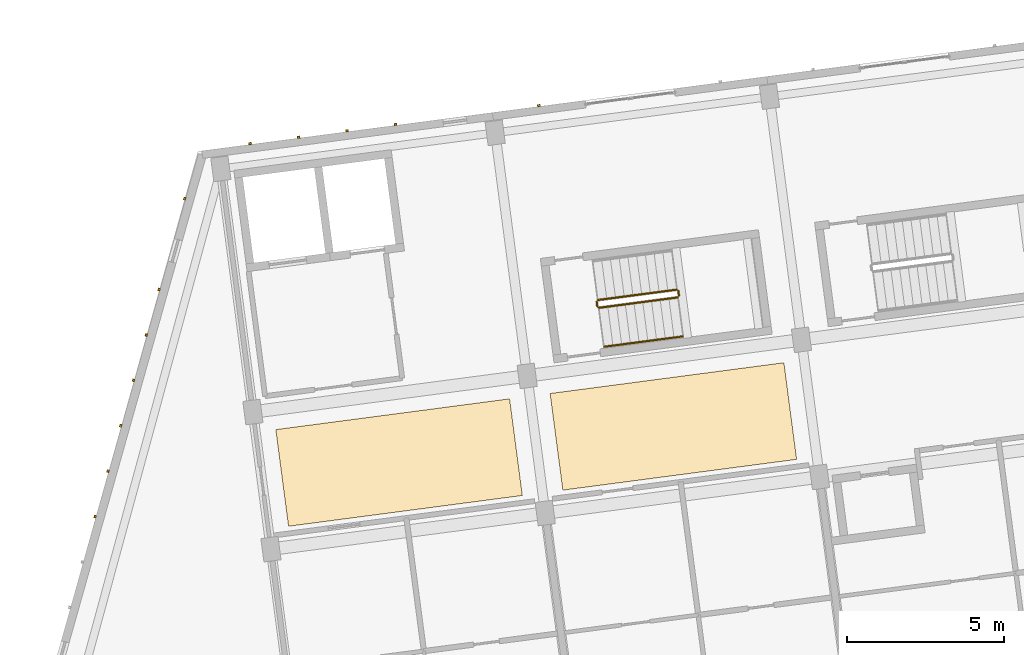
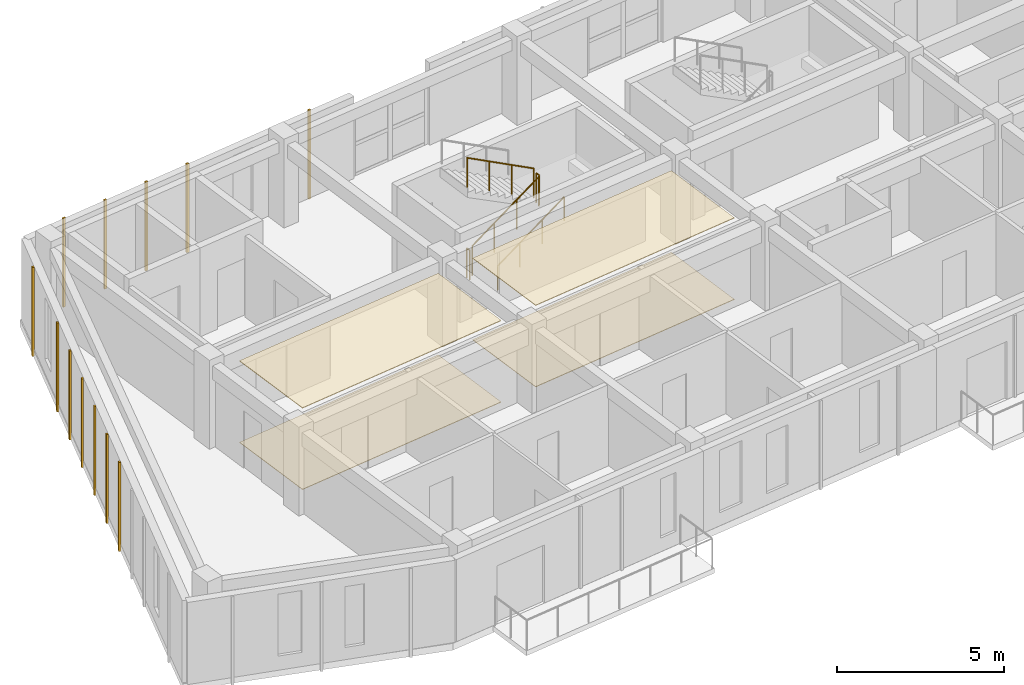
# One storey, part 106 of 127: 16 coverings, 5 railings.
"""IFC4 building model written with IfcOpenShell, lengths in metres."""

from ifc_helpers import new_model, si_unit, direction, frame, origin, origin_2d, place, context, subcontext, project, spatial, polyline, rectangle, circle, outline, extrude, material, layer, layer_set, type_object, element, save


model = new_model("IFC4")

# Units and contexts
model_context = context("Model", 3, precision=1e-05, world=origin(), true_north=direction((0.0, 1.0)))
body_context = subcontext(model_context, "Body", "Model", "MODEL_VIEW")
ifc_project = project(units=[si_unit("LENGTHUNIT", "METRE"), si_unit("AREAUNIT", "SQUARE_METRE"), si_unit("VOLUMEUNIT", "CUBIC_METRE"), si_unit("PLANEANGLEUNIT", "RADIAN"), si_unit("MASSUNIT", "GRAM", prefix="KILO")], contexts=[model_context])

# Site, building, storey
site_placement = place(None, origin())
site = spatial("IfcSite", under=ifc_project, at=site_placement, CompositionType="ELEMENT")
building_placement = place(site_placement, origin())
building = spatial("IfcBuilding", under=site, at=building_placement, Name="Kestramere Prow Commons", CompositionType="ELEMENT")
storey_placement = place(building_placement, frame((0.0, 0.0, 8.39990234375)))
storey = spatial("IfcBuildingStorey", under=building, at=storey_placement, Name="L02", CompositionType="ELEMENT", Elevation=8.39990234375)

# Coverings
ifc_material_1 = material(Name="Mineral Fibre Acoustic Ceiling Tile")
ifc_layer_1 = layer(ifc_material_1, 0.02490234375)
ifc_layer_set_1 = layer_set([ifc_layer_1], Name="Mineral Fibre Acoustic Ceiling Tile")
covering_type_1 = type_object("IfcCoveringType", Name="COV-CEIL-ACOUSTIC", PredefinedType="CEILING", material=ifc_layer_set_1)
covering_1_placement = place(storey_placement, frame((0.0, 0.0, 2.97509765625)))
element("IfcCovering", 1, at=covering_1_placement, inside=storey, type_object=covering_type_1, Name="Block A L02 Corridor Acoustic Ceiling 1", PredefinedType="CEILING", context=body_context, shape_type="SweptSolid", body=[
    extrude(outline(polyline([(10.741455078125, 80.462646484375), (18.17724609375, 81.44140625), (17.772705078125, 84.514892578125), (10.3369140625, 83.5361328125), (10.741455078125, 80.462646484375)])), origin(), (0.0, 0.0, 1.0), 0.02490234375),
])
covering_2_placement = place(storey_placement, frame((0.0, 0.0, 2.97509765625)))
element("IfcCovering", 2, at=covering_2_placement, inside=storey, type_object=covering_type_1, Name="Block A L02 Corridor Acoustic Ceiling 2", PredefinedType="CEILING", context=body_context, shape_type="SweptSolid", body=[
    extrude(outline(polyline([(19.46630859375, 81.611083984375), (26.902099609375, 82.590087890625), (26.497314453125, 85.66357421875), (19.0615234375, 84.6845703125), (19.46630859375, 81.611083984375)])), origin(), (0.0, 0.0, 1.0), 0.02490234375),
])
ifc_material_2 = material(Name="Weathered Zinc-Titanium Standing-Seam Cladding")
ifc_layer_2 = layer(ifc_material_2, 0.074951171875)
ifc_layer_set_2 = layer_set([ifc_layer_2], Name="Weathered Zinc-Titanium Standing-Seam Cladding")
covering_type_2 = type_object("IfcCoveringType", Name="COV-CLAD-SEAM", PredefinedType="CLADDING", material=ifc_layer_set_2)
for number, where, z_axis, x_axis, name in (
    (3, (9.521484375, 92.635009765625, -0.25), (0.0, 0.0, 1.0), (0.991444861374, 0.13052619222, 0.0), "EW-A-L02-N-0 Standing-Seam Rib 1"),
    (4, (11.062255859375, 92.837890625, -0.25), (0.0, 0.0, 1.0), (0.991444861374, 0.13052619222, 0.0), "EW-A-L02-N-0 Standing-Seam Rib 2"),
    (5, (12.603271484375, 93.040771484375, -0.25), (0.0, 0.0, 1.0), (0.991444861374, 0.13052619222, 0.0), "EW-A-L02-N-0 Standing-Seam Rib 3"),
    (6, (14.14404296875, 93.243408203125, -0.25), (0.0, 0.0, 1.0), (0.991444861374, 0.13052619222, 0.0), "EW-A-L02-N-0 Standing-Seam Rib 4"),
    (7, (18.700439453125, 93.843505859375, -0.25), (0.0, 0.0, 1.0), (0.991444861374, 0.13052619222, 0.0), "EW-A-L02-NP-1-L Standing-Seam Rib 1"),
    (8, (4.5888671875, 80.7705078125, -0.25), (0.0, 0.0, 1.0), (0.271159911526, 0.962534312314, 0.0), "EW-A-L02-PRW-N Standing-Seam Rib 5"),
    (9, (4.995849609375, 82.21484375, -0.25), (0.0, 0.0, 1.0), (0.271159911526, 0.962534312314, 0.0), "EW-A-L02-PRW-N Standing-Seam Rib 6"),
    (10, (5.40283203125, 83.6591796875, -0.25), (0.0, 0.0, 1.0), (0.271159911526, 0.962534312314, 0.0), "EW-A-L02-PRW-N Standing-Seam Rib 7"),
    (11, (5.8095703125, 85.103271484375, -0.25), (0.0, 0.0, 1.0), (0.271159911526, 0.962534312314, 0.0), "EW-A-L02-PRW-N Standing-Seam Rib 8"),
    (12, (6.216552734375, 86.547607421875, -0.25), (0.0, 0.0, 1.0), (0.271159911526, 0.962534312314, 0.0), "EW-A-L02-PRW-N Standing-Seam Rib 9"),
    (13, (6.623291015625, 87.991943359375, -0.25), (0.0, 0.0, 1.0), (0.271159911526, 0.962534312314, 0.0), "EW-A-L02-PRW-N Standing-Seam Rib 10"),
    (14, (7.437255859375, 90.880615234375, -0.25), (0.0, 0.0, 1.0), (0.271159911526, 0.962534312314, 0.0), "EW-A-L02-PRW-N Standing-Seam Rib 12"),
):
    element("IfcCovering", number, at=place(storey_placement, frame(where, z_axis=z_axis, x_axis=x_axis)), inside=storey, type_object=covering_type_2, Name=name, PredefinedType="CLADDING", context=body_context, shape_type="SweptSolid", body=[
        extrude(rectangle(XDim=0.0849609375, YDim=0.06494140625, at=origin_2d()), origin(), (0.0, 0.0, 1.0), 3.25),
    ])
ifc_material_3 = material(Name="Honed Cementitious Terrazzo Tile")
ifc_layer_3 = layer(ifc_material_3, 0.02001953125)
ifc_layer_set_3 = layer_set([ifc_layer_3], Name="Honed Cementitious Terrazzo Tile")
covering_type_3 = type_object("IfcCoveringType", Name="COV-FLOOR-TERRAZZO", PredefinedType="FLOORING", material=ifc_layer_set_3)
covering_3_placement = place(storey_placement, origin())
element("IfcCovering", 15, at=covering_3_placement, inside=storey, type_object=covering_type_3, Name="Block A L02 Corridor Terrazzo Flooring 1", PredefinedType="FLOORING", context=body_context, shape_type="SweptSolid", body=[
    extrude(outline(polyline([(10.741455078125, 80.462646484375), (18.17724609375, 81.44140625), (17.772705078125, 84.514892578125), (10.3369140625, 83.5361328125), (10.741455078125, 80.462646484375)])), origin(), (0.0, 0.0, 1.0), 0.02001953125),
])
covering_4_placement = place(storey_placement, origin())
element("IfcCovering", 16, at=covering_4_placement, inside=storey, type_object=covering_type_3, Name="Block A L02 Corridor Terrazzo Flooring 2", PredefinedType="FLOORING", context=body_context, shape_type="SweptSolid", body=[
    extrude(outline(polyline([(19.46630859375, 81.611083984375), (26.902099609375, 82.590087890625), (26.497314453125, 85.66357421875), (19.0615234375, 84.6845703125), (19.46630859375, 81.611083984375)])), origin(), (0.0, 0.0, 1.0), 0.02001953125),
])

# Railings
ifc_material_4 = material(Name="Galvanised Steel S275JR", Category="steel")
railing_type_1 = type_object("IfcRailingType", Name="RL-ST-GR-1100", PredefinedType="GUARDRAIL", material=ifc_material_4)
railing_1_placement = place(storey_placement, frame((20.618896484375, 87.411376953125, 0.16259765625)))
element("IfcRailing", 17, at=railing_1_placement, inside=storey, type_object=railing_type_1, Name="L02 ST-A1 stair guard 1", PredefinedType="GUARDRAIL", context=body_context, shape_type="SweptSolid", body=[
    extrude(circle(Radius=0.02392578125, at=origin_2d()), frame((0.0, 0.0, 1.076171875), z_axis=(0.85752303711, 0.112867259233, 0.501911568525), x_axis=(-0.130494608992, 0.991449018873, 0.0)), (0.0, 0.0, 1.0), 2.91357421875),
    extrude(circle(Radius=0.02099609375, at=origin_2d()), origin(), (0.0, 0.0, 1.0), 1.052001953125),
    extrude(circle(Radius=0.02099609375, at=origin_2d()), frame((0.832763671875, 0.109619140625, 0.487548828125)), (0.0, 0.0, 1.0), 1.052001953125),
    extrude(circle(Radius=0.02099609375, at=origin_2d()), frame((1.665771484375, 0.21923828125, 0.974853515625)), (0.0, 0.0, 1.0), 1.052001953125),
    extrude(circle(Radius=0.02099609375, at=origin_2d()), frame((2.49853515625, 0.328857421875, 1.46240234375)), (0.0, 0.0, 1.0), 1.052001953125),
])
railing_2_placement = place(storey_placement, frame((23.160400390625, 87.79638671875, 1.625)))
element("IfcRailing", 18, at=railing_2_placement, inside=storey, type_object=railing_type_1, Name="L02 ST-A1 stair guard 2", PredefinedType="GUARDRAIL", context=body_context, shape_type="SweptSolid", body=[
    extrude(circle(Radius=0.02392578125, at=origin_2d()), frame((0.0, 0.0, 1.076171875), z_axis=(-0.130243938252, 0.991481979941, 0.0), x_axis=(-0.991481979941, -0.130243938252, 0.0)), (0.0, 0.0, 1.0), 0.14990234375),
    extrude(circle(Radius=0.02099609375, at=origin_2d()), origin(), (0.0, 0.0, 1.0), 1.052001953125),
    extrude(circle(Radius=0.02099609375, at=origin_2d()), frame((-0.01953125, 0.148681640625, 0.0)), (0.0, 0.0, 1.0), 1.052001953125),
])
railing_3_placement = place(storey_placement, frame((23.084716796875, 87.988037109375, 1.78759765625)))
element("IfcRailing", 19, at=railing_3_placement, inside=storey, type_object=railing_type_1, Name="L02 ST-A1 stair guard 3", PredefinedType="GUARDRAIL", context=body_context, shape_type="SweptSolid", body=[
    extrude(circle(Radius=0.02392578125, at=origin_2d()), frame((0.0, 0.0, 1.076171875), z_axis=(-0.857500858922, -0.112875369585, 0.501947634608), x_axis=(0.130507144135, -0.991447368916, 0.0)), (0.0, 0.0, 1.0), 2.91357421875),
    extrude(circle(Radius=0.02099609375, at=origin_2d()), origin(), (0.0, 0.0, 1.0), 1.052001953125),
    extrude(circle(Radius=0.02099609375, at=origin_2d()), frame((-0.832763671875, -0.109619140625, 0.487548828125)), (0.0, 0.0, 1.0), 1.052001953125),
    extrude(circle(Radius=0.02099609375, at=origin_2d()), frame((-1.66552734375, -0.21923828125, 0.974853515625)), (0.0, 0.0, 1.0), 1.052001953125),
    extrude(circle(Radius=0.02099609375, at=origin_2d()), frame((-2.498291015625, -0.328857421875, 1.46240234375)), (0.0, 0.0, 1.0), 1.052001953125),
])
railing_4_placement = place(storey_placement, frame((20.56298828125, 87.454345703125, 0.0)))
element("IfcRailing", 20, at=railing_4_placement, inside=storey, type_object=railing_type_1, Name="L02 ST-A1 stair guard 4", PredefinedType="GUARDRAIL", context=body_context, shape_type="SweptSolid", body=[
    extrude(circle(Radius=0.02392578125, at=origin_2d()), frame((0.0, 0.0, 1.076171875), z_axis=(-0.131843859112, 0.99127049629, 0.0), x_axis=(-0.99127049629, -0.131843859112, 0.0)), (0.0, 0.0, 1.0), 0.14990234375),
    extrude(circle(Radius=0.02099609375, at=origin_2d()), origin(), (0.0, 0.0, 1.0), 1.052001953125),
    extrude(circle(Radius=0.02099609375, at=origin_2d()), frame((-0.019775390625, 0.148681640625, 0.0)), (0.0, 0.0, 1.0), 1.052001953125),
])
ifc_material_5 = material(Name="Stainless Steel 304", Category="steel")
railing_type_2 = type_object("IfcRailingType", Name="RL-ST-HR-900", PredefinedType="HANDRAIL", material=ifc_material_5)
railing_5_placement = place(storey_placement, frame((20.7822265625, 86.171875, 0.3251953125)))
element("IfcRailing", 21, at=railing_5_placement, inside=storey, type_object=railing_type_2, Name="L02 ST-A1 stair handrail 1", PredefinedType="HANDRAIL", context=body_context, shape_type="SweptSolid", body=[
    extrude(circle(Radius=0.02392578125, at=origin_2d()), frame((0.0, 0.0, 0.8759765625), z_axis=(0.857492745196, 0.112958098361, 0.501942885148), x_axis=(-0.130602379397, 0.991434828164, 0.0)), (0.0, 0.0, 1.0), 2.91357421875),
    extrude(circle(Radius=0.02099609375, at=origin_2d()), origin(), (0.0, 0.0, 1.0), 0.851806640625),
    extrude(circle(Radius=0.02099609375, at=origin_2d()), frame((0.832763671875, 0.109619140625, 0.487548828125)), (0.0, 0.0, 1.0), 0.851806640625),
    extrude(circle(Radius=0.02099609375, at=origin_2d()), frame((1.66552734375, 0.219482421875, 0.974853515625)), (0.0, 0.0, 1.0), 0.851806640625),
    extrude(circle(Radius=0.02099609375, at=origin_2d()), frame((2.498291015625, 0.3291015625, 1.46240234375)), (0.0, 0.0, 1.0), 0.851806640625),
])

save(model, "model.ifc")
